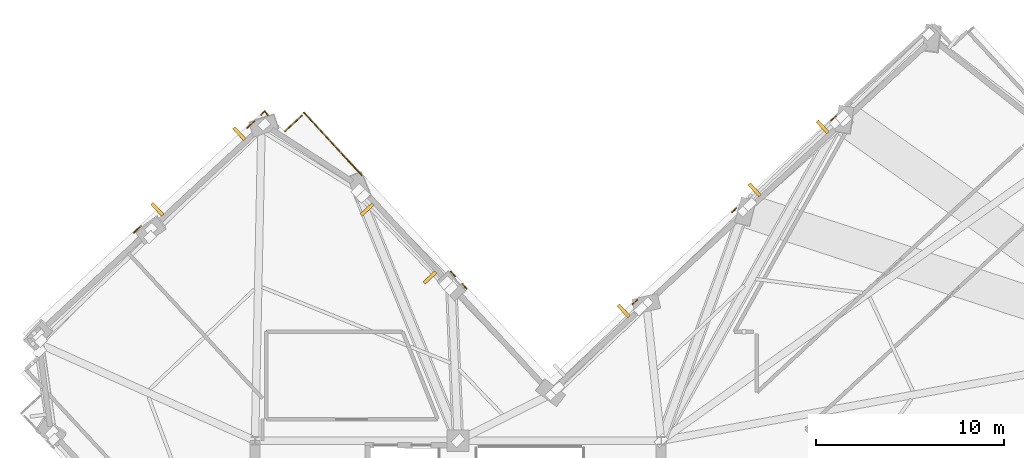
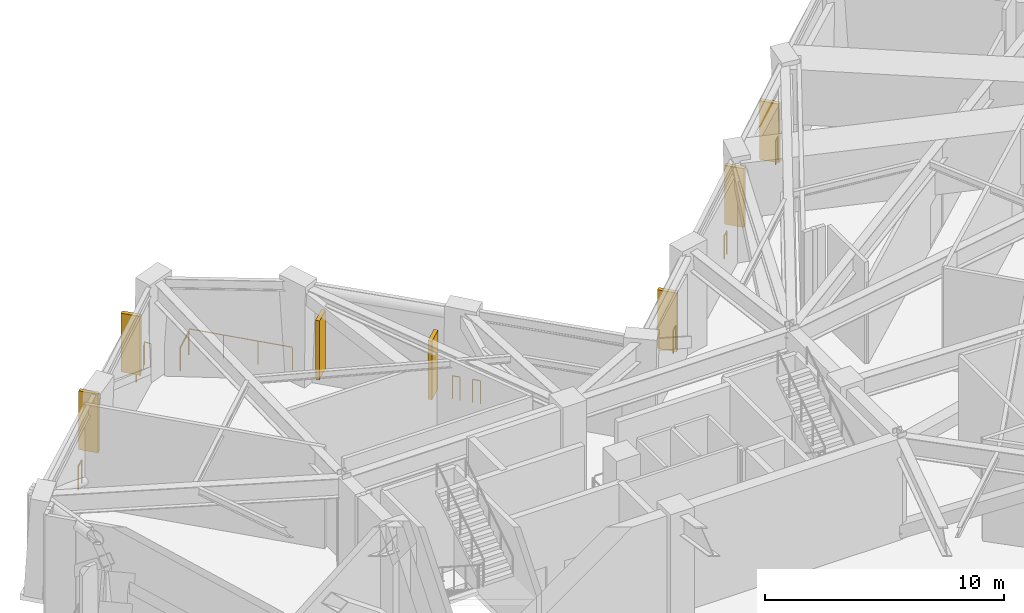
# One storey, part 14 of 15: 10 railings, 7 shading devices.
"""IFC4 building model written with IfcOpenShell, lengths in metres."""

import ifcopenshell
import ifcopenshell.guid

model = None  # the IFC model being written
_history = None  # IfcOwnerHistory: only IFC2X3 demands one
_inside = {}  # id of a spatial element -> (the spatial element, [elements in it])
_under = {}  # id of a project, library or spatial element -> (it, [spatial elements below it])
_declared = {}  # id of a project -> (the project, [libraries it declares])
_typed = {}  # id of a type object -> (the type object, [elements of that type])
_made_of = {}  # id of a material, layer set ... -> (it, [elements and type objects made of it])


def new_model(schema):
    """Start an empty IFC model of exactly this schema.

    Asked for "IFC4X3", IfcOpenShell would pick the latest addendum, in which some entities
    have other attributes; the version numbers below select the first issue.
    IFC2X3 requires an IfcOwnerHistory on every rooted entity: one is made here for all.
    """
    global model, _history
    if schema == "IFC4X3":
        model = ifcopenshell.file(schema_version=(4, 3, 0, 0))
    else:
        model = ifcopenshell.file(schema=schema)
    _inside.clear()
    _under.clear()
    _declared.clear()
    _typed.clear()
    _made_of.clear()
    _history = None
    if model.schema == "IFC2X3":
        org = make("IfcOrganization", Name="unknown")
        user = make(
            "IfcPersonAndOrganization",
            ThePerson=make("IfcPerson", FamilyName="unknown"),
            TheOrganization=org,
        )
        app = make(
            "IfcApplication",
            ApplicationDeveloper=org,
            Version="unknown",
            ApplicationFullName="unknown",
            ApplicationIdentifier="unknown",
        )
        _history = make(
            "IfcOwnerHistory",
            OwningUser=user,
            OwningApplication=app,
            ChangeAction="ADDED",
            CreationDate=0,
        )
    return model


def make(cls, **values):
    """One entity of the class cls with the attributes given. An attribute that is None is left unset."""
    return model.create_entity(
        cls, **{name: value for name, value in values.items() if value is not None}
    )


def rooted(cls, **values):
    """An entity with a GlobalId (a new one), such as an element, a storey or a relation."""
    return make(cls, GlobalId=ifcopenshell.guid.new(), OwnerHistory=_history, **values)


def si_unit(unit_type, name, prefix=None):
    """IfcSIUnit, for example si_unit("LENGTHUNIT", "METRE", prefix="MILLI")."""
    return make("IfcSIUnit", UnitType=unit_type, Prefix=prefix, Name=name)


def assignment(units):
    """IfcUnitAssignment: the units of a project."""
    return None if units is None else make("IfcUnitAssignment", Units=units)


def point(xyz):
    """IfcCartesianPoint."""
    return None if xyz is None else make("IfcCartesianPoint", Coordinates=xyz)


def direction(xyz):
    """IfcDirection."""
    return None if xyz is None else make("IfcDirection", DirectionRatios=xyz)


def frame(location, z_axis=None, x_axis=None):
    """IfcAxis2Placement3D, a coordinate frame: its origin and axes. An axis left out is left unset."""
    return make(
        "IfcAxis2Placement3D",
        Location=point(location),
        Axis=direction(z_axis),
        RefDirection=direction(x_axis),
    )


def frame_2d(location, x_axis=None):
    """IfcAxis2Placement2D, a coordinate frame in the plane: its origin and x axis."""
    return make(
        "IfcAxis2Placement2D", Location=point(location), RefDirection=direction(x_axis)
    )


def origin():
    """The frame at (0, 0, 0) with its axes left unset."""
    return frame((0.0, 0.0, 0.0))


def origin_2d():
    """The frame at (0, 0) in the plane with its x axis left unset."""
    return frame_2d((0.0, 0.0))


def place(relative_to, where):
    """IfcLocalPlacement: puts the frame where relative to a parent placement (None: the world)."""
    return make(
        "IfcLocalPlacement", PlacementRelTo=relative_to, RelativePlacement=where
    )


def context(
    kind, dimensions, precision=None, world=None, true_north=None, identifier=None
):
    """IfcGeometricRepresentationContext, for example the 3D "Model" context."""
    return make(
        "IfcGeometricRepresentationContext",
        ContextIdentifier=identifier,
        ContextType=kind,
        CoordinateSpaceDimension=dimensions,
        Precision=precision,
        WorldCoordinateSystem=world,
        TrueNorth=true_north,
    )


def subcontext(parent, identifier, kind, view, scale=None):
    """IfcGeometricRepresentationSubContext, for example "Body" below "Model"."""
    return make(
        "IfcGeometricRepresentationSubContext",
        ContextIdentifier=identifier,
        ContextType=kind,
        ParentContext=parent,
        TargetScale=scale,
        TargetView=view,
    )


def project(units=None, contexts=None):
    """IfcProject with its units and contexts."""
    return rooted(
        "IfcProject",
        Name="project",
        RepresentationContexts=contexts,
        UnitsInContext=assignment(units),
    )


def spatial(cls, under=None, at=None, **own):
    """A site, building, storey or space (cls), placed at a placement, below another one or the project."""
    s = rooted(cls, ObjectPlacement=at, **own)
    if under is not None:
        _under.setdefault(under.id(), (under, []))[1].append(s)
    return s


def profile(cls, at=None, kind="AREA", **sizes):
    """A parametric profile (cls). Its sizes go by their IFC names, for example OverallWidth=200.0."""
    return make(cls, ProfileType=kind, Position=at, **sizes)


def rectangle(**sizes):
    """IfcRectangleProfileDef."""
    return profile("IfcRectangleProfileDef", **sizes)


def circle(**sizes):
    """IfcCircleProfileDef."""
    return profile("IfcCircleProfileDef", **sizes)


def extrude(swept, where, along, depth):
    """IfcExtrudedAreaSolid: the profile swept, set in the frame where, extruded along a direction by depth."""
    return make(
        "IfcExtrudedAreaSolid",
        SweptArea=swept,
        Position=where,
        ExtrudedDirection=direction(along),
        Depth=depth,
    )


def shape(context_of_items, identifier, shape_type, items):
    """IfcShapeRepresentation: the items that make up one representation, for example the "Body"."""
    return make(
        "IfcShapeRepresentation",
        ContextOfItems=context_of_items,
        RepresentationIdentifier=identifier,
        RepresentationType=shape_type,
        Items=items,
    )


def material(Name=None, Category=None):
    """IfcMaterial."""
    return make("IfcMaterial", Name=Name, Category=Category)


def layer(
    of_material, thickness, ventilated=None, Name=None, Category=None, Priority=None
):
    """IfcMaterialLayer: one layer of a wall or slab, of a material (None: an air gap)."""
    return make(
        "IfcMaterialLayer",
        Material=of_material,
        LayerThickness=thickness,
        IsVentilated=ventilated,
        Name=Name,
        Category=Category,
        Priority=Priority,
    )


def layer_set(layers, Name=None):
    """IfcMaterialLayerSet."""
    return make("IfcMaterialLayerSet", MaterialLayers=layers, LayerSetName=Name)


def made_of(thing, what):
    """Note that an element or type object is made of a material, layer set ...; save() writes the relation."""
    if what is not None:
        _made_of.setdefault(what.id(), (what, []))[1].append(thing)
    return thing


def type_object(cls, material=None, **own):
    """A type object (cls), such as IfcWallType, which elements share."""
    return made_of(rooted(cls, **own), material)


def element(
    cls,
    number,
    at=None,
    inside=None,
    cuts=None,
    type_object=None,
    material=None,
    context=None,
    identifier="Body",
    shape_type=None,
    held_by="IfcProductDefinitionShape",
    body=None,
    shapes=None,
    **own,
):
    """One element of the class cls, such as IfcWall. Its Tag is "e" and its number.

    at: its placement. inside: the storey or other place that contains it. cuts: it is an
    opening in that element (IfcRelVoidsElement). A single representation is given by context,
    identifier, shape_type and body (its items); several are given by shapes. held_by: the class
    of the entity that holds the representations. save() writes the other relations.
    """
    e = rooted(cls, Tag="e%d" % number, ObjectPlacement=at, **own)
    if body is not None:
        shapes = [shape(context, identifier, shape_type, body)]
    if shapes is not None:
        e.Representation = make(held_by, Representations=shapes)
    if inside is not None:
        _inside.setdefault(inside.id(), (inside, []))[1].append(e)
    if cuts is not None:
        rooted(
            "IfcRelVoidsElement", RelatingBuildingElement=cuts, RelatedOpeningElement=e
        )
    if type_object is not None:
        _typed.setdefault(type_object.id(), (type_object, []))[1].append(e)
    return made_of(e, material)


def aggregate(whole, parts):
    """IfcRelAggregates: a whole, such as a stair, and the parts it consists of."""
    return rooted("IfcRelAggregates", RelatingObject=whole, RelatedObjects=parts)


def save(model, path):
    """Write the relations noted so far, then the file.

    IfcRelAggregates (storeys below a building ...), IfcRelContainedInSpatialStructure (elements
    in a storey), IfcRelDefinesByType, IfcRelAssociatesMaterial and IfcRelDeclares: one each for
    every whole, place, type object, material and project.
    """
    for whole, parts in _under.values():
        aggregate(whole, parts)
    for where, things in _inside.values():
        rooted(
            "IfcRelContainedInSpatialStructure",
            RelatedElements=things,
            RelatingStructure=where,
        )
    for kind, things in _typed.values():
        rooted("IfcRelDefinesByType", RelatedObjects=things, RelatingType=kind)
    for what, things in _made_of.values():
        rooted("IfcRelAssociatesMaterial", RelatedObjects=things, RelatingMaterial=what)
    for by, libraries in _declared.values():
        rooted("IfcRelDeclares", RelatingContext=by, RelatedDefinitions=libraries)
    model.write(path)


model = new_model("IFC4")

# Units and contexts
model_context = context("Model", 3, precision=1e-05, world=origin(), true_north=direction((0.0, 1.0)))
body_context = subcontext(model_context, "Body", "Model", "MODEL_VIEW")
ifc_project = project(units=[si_unit("LENGTHUNIT", "METRE"), si_unit("AREAUNIT", "SQUARE_METRE"), si_unit("VOLUMEUNIT", "CUBIC_METRE"), si_unit("PLANEANGLEUNIT", "RADIAN"), si_unit("MASSUNIT", "GRAM", prefix="KILO")], contexts=[model_context])

# Site, building, storey
site_placement = place(None, origin())
site = spatial("IfcSite", under=ifc_project, at=site_placement, CompositionType="ELEMENT")
building_placement = place(site_placement, origin())
building = spatial("IfcBuilding", under=site, at=building_placement, Name="Gaonmaruhae Medical Tower", CompositionType="ELEMENT")
storey_placement = place(building_placement, frame((0.0, 0.0, 205.800048828125)))
storey = spatial("IfcBuildingStorey", under=building, at=storey_placement, Name="L49", CompositionType="ELEMENT", Elevation=205.800048828125)

# Railings
ifc_material_1 = material(Name="Stainless steel 316L and laminated safety glass", Category="steel")
ifc_layer = layer(ifc_material_1, 0.080078125)
ifc_layer_set = layer_set([ifc_layer], Name="Stainless steel 316L and laminated safety glass")
railing_type = type_object("IfcRailingType", Name="GD-120 Outdoor Terrace Safety Glass & Steel Balustrade", PredefinedType="BALUSTRADE", material=ifc_layer_set)
railing_1_placement = place(storey_placement, frame((44.90087890625, 34.0615234375, 0.0)))
element("IfcRailing", 1, at=railing_1_placement, inside=storey, type_object=railing_type, Name="L49 Perimeter Slab Edge Safety Balustrade 08", PredefinedType="BALUSTRADE", context=body_context, shape_type="SweptSolid", body=[
    extrude(circle(Radius=0.02392578125, at=origin_2d()), frame((0.0, 0.0, 1.17578125), z_axis=(-0.734555637154, -0.678548462474, 0.0), x_axis=(0.678548462474, -0.734555637154, 0.0)), (0.0, 0.0, 1.0), 0.340087890625),
    extrude(circle(Radius=0.02099609375, at=origin_2d()), origin(), (0.0, 0.0, 1.0), 1.15185546875),
    extrude(circle(Radius=0.02099609375, at=origin_2d()), frame((-0.249755859375, -0.230712890625, 0.0)), (0.0, 0.0, 1.0), 1.15185546875),
])
for number, where, name in (
    (2, (39.617431640625, 29.177734375, 0.0), "L49 Perimeter Slab Edge Safety Balustrade 09"),
    (3, (34.334228515625, 24.2939453125, 0.0), "L49 Perimeter Slab Edge Safety Balustrade 10"),
):
    element("IfcRailing", number, at=place(storey_placement, frame(where)), inside=storey, type_object=railing_type, Name=name, PredefinedType="BALUSTRADE", context=body_context, shape_type="SweptSolid", body=[
        extrude(circle(Radius=0.02392578125, at=origin_2d()), frame((0.0, 0.0, 1.17578125), z_axis=(-0.734224769391, -0.678906464848, 0.0), x_axis=(0.678906464848, -0.734224769391, 0.0)), (0.0, 0.0, 1.0), 0.33984375),
        extrude(circle(Radius=0.02099609375, at=origin_2d()), origin(), (0.0, 0.0, 1.0), 1.15185546875),
        extrude(circle(Radius=0.02099609375, at=origin_2d()), frame((-0.24951171875, -0.230712890625, 0.0)), (0.0, 0.0, 1.0), 1.15185546875),
    ])
railing_2_placement = place(storey_placement, frame((25.251708984375, 24.888916015625, 0.0)))
element("IfcRailing", 4, at=railing_2_placement, inside=storey, type_object=railing_type, Name="L49 Perimeter Slab Edge Safety Balustrade 11", PredefinedType="BALUSTRADE", context=body_context, shape_type="SweptSolid", body=[
    extrude(circle(Radius=0.02392578125, at=origin_2d()), frame((0.0, 0.0, 1.17578125), z_axis=(-0.678429810204, 0.734665224865, 0.0), x_axis=(-0.734665224865, -0.678429810204, 0.0)), (0.0, 0.0, 1.0), 0.338623046875),
    extrude(circle(Radius=0.02099609375, at=origin_2d()), origin(), (0.0, 0.0, 1.0), 1.15185546875),
    extrude(circle(Radius=0.02099609375, at=origin_2d()), frame((-0.229736328125, 0.248779296875, 0.0)), (0.0, 0.0, 1.0), 1.15185546875),
])
railing_3_placement = place(storey_placement, frame((24.645263671875, 25.544921875, 0.0)))
element("IfcRailing", 5, at=railing_3_placement, inside=storey, type_object=railing_type, Name="L49 Perimeter Slab Edge Safety Balustrade 12", PredefinedType="BALUSTRADE", context=body_context, shape_type="SweptSolid", body=[
    extrude(circle(Radius=0.02392578125, at=origin_2d()), frame((0.0, 0.0, 1.17578125), z_axis=(-0.678818654434, 0.734305954213, 0.0), x_axis=(-0.734305954213, -0.678818654434, 0.0)), (0.0, 0.0, 1.0), 0.3388671875),
    extrude(circle(Radius=0.02099609375, at=origin_2d()), origin(), (0.0, 0.0, 1.0), 1.15185546875),
    extrude(circle(Radius=0.02099609375, at=origin_2d()), frame((-0.22998046875, 0.248779296875, 0.0)), (0.0, 0.0, 1.0), 1.15185546875),
])
railing_4_placement = place(storey_placement, frame((19.671875, 30.92529296875, 0.0)))
element("IfcRailing", 6, at=railing_4_placement, inside=storey, type_object=railing_type, Name="L49 Perimeter Slab Edge Safety Balustrade 13", PredefinedType="BALUSTRADE", context=body_context, shape_type="SweptSolid", body=[
    extrude(circle(Radius=0.02392578125, at=origin_2d()), frame((0.0, 0.0, 1.17578125), z_axis=(-0.678819653079, 0.734305031029, 0.0), x_axis=(-0.734305031029, -0.678819653079, 0.0)), (0.0, 0.0, 1.0), 4.527587890625),
    extrude(circle(Radius=0.02099609375, at=origin_2d()), origin(), (0.0, 0.0, 1.0), 1.15185546875),
    extrude(circle(Radius=0.02099609375, at=origin_2d()), frame((-1.0244140625, 1.108154296875, 0.0)), (0.0, 0.0, 1.0), 1.15185546875),
    extrude(circle(Radius=0.02099609375, at=origin_2d()), frame((-2.049072265625, 2.216552734375, 0.0)), (0.0, 0.0, 1.0), 1.15185546875),
    extrude(circle(Radius=0.02099609375, at=origin_2d()), frame((-3.073486328125, 3.32470703125, 0.0)), (0.0, 0.0, 1.0), 1.15185546875),
])
railing_5_placement = place(storey_placement, frame((16.497802734375, 34.0888671875, 0.0)))
element("IfcRailing", 7, at=railing_5_placement, inside=storey, type_object=railing_type, Name="L49 Perimeter Slab Edge Safety Balustrade 14", PredefinedType="BALUSTRADE", context=body_context, shape_type="SweptSolid", body=[
    extrude(circle(Radius=0.02392578125, at=origin_2d()), frame((0.0, 0.0, 1.17578125), z_axis=(-0.734322600122, -0.678800647429, 0.0), x_axis=(0.678800647429, -0.734322600122, 0.0)), (0.0, 0.0, 1.0), 1.226806640625),
    extrude(circle(Radius=0.02099609375, at=origin_2d()), origin(), (0.0, 0.0, 1.0), 1.15185546875),
    extrude(circle(Radius=0.02099609375, at=origin_2d()), frame((-0.90087890625, -0.832763671875, 0.0)), (0.0, 0.0, 1.0), 1.15185546875),
])
for number, where, name in (
    (8, (13.96728515625, 33.792236328125, 0.0), "L49 Perimeter Slab Edge Safety Balustrade 15"),
    (9, (7.935302734375, 28.21630859375, 0.0), "L49 Perimeter Slab Edge Safety Balustrade 16"),
):
    element("IfcRailing", number, at=place(storey_placement, frame(where)), inside=storey, type_object=railing_type, Name=name, PredefinedType="BALUSTRADE", context=body_context, shape_type="SweptSolid", body=[
        extrude(circle(Radius=0.02392578125, at=origin_2d()), frame((0.0, 0.0, 1.17578125), z_axis=(-0.734405223956, -0.67871125453, 0.0), x_axis=(0.67871125453, -0.734405223956, 0.0)), (0.0, 0.0, 1.0), 0.517333984375),
        extrude(circle(Radius=0.02099609375, at=origin_2d()), origin(), (0.0, 0.0, 1.0), 1.15185546875),
        extrude(circle(Radius=0.02099609375, at=origin_2d()), frame((-0.3798828125, -0.35107421875, 0.0)), (0.0, 0.0, 1.0), 1.15185546875),
    ])
railing_6_placement = place(storey_placement, frame((14.682373046875, 34.11279296875, 0.0)))
element("IfcRailing", 10, at=railing_6_placement, inside=storey, type_object=railing_type, Name="L49 Perimeter Corner Safety Balustrade 27", PredefinedType="BALUSTRADE", context=body_context, shape_type="SweptSolid", body=[
    extrude(circle(Radius=0.02392578125, at=origin_2d()), frame((0.0, 0.0, 1.17578125), z_axis=(-0.583968785118, 0.811776113228, 0.0), x_axis=(-0.811776113228, -0.583968785118, 0.0)), (0.0, 0.0, 1.0), 0.287109375),
    extrude(circle(Radius=0.02392578125, at=origin_2d()), frame((-0.167724609375, 0.233154296875, 1.17578125), z_axis=(-0.64601844732, -0.763321796965, 0.0), x_axis=(0.763321796965, -0.64601844732, 0.0)), (0.0, 0.0, 1.0), 0.287109375),
    extrude(circle(Radius=0.02099609375, at=origin_2d()), origin(), (0.0, 0.0, 1.0), 1.15185546875),
    extrude(circle(Radius=0.02099609375, at=origin_2d()), frame((-0.167724609375, 0.233154296875, 0.0)), (0.0, 0.0, 1.0), 1.15185546875),
    extrude(circle(Radius=0.02099609375, at=origin_2d()), frame((-0.353271484375, 0.013916015625, 0.0)), (0.0, 0.0, 1.0), 1.15185546875),
])

# Shading devices
ifc_material_2 = material(Name="Pigmented coral precast concrete C45/55", Category="concrete")
shading_device_type = type_object("IfcShadingDeviceType", Name="SD-FIN1 Tower Vertical Coral Precast Shading Fin", PredefinedType="USERDEFINED", material=ifc_material_2)
for number, where, z_axis, x_axis, name in (
    (11, (40.573974609375, 30.150390625, 0.58251953125), (0.0, 0.0, 1.0), (0.734322509436, 0.678800745533, 0.0), "L49 Vertical Coral Precast Shading Fin EN01"),
    (12, (44.19140625, 33.494384765625, 0.58251953125), (0.0, 0.0, 1.0), (0.734322509436, 0.678800745533, 0.0), "L49 Vertical Coral Precast Shading Fin EN01B"),
    (13, (33.606689453125, 23.7099609375, 0.58251953125), (0.0, 0.0, 1.0), (0.734322509436, 0.678800745533, 0.0), "L49 Vertical Coral Precast Shading Fin EN03B"),
    (14, (23.306640625, 25.483154296875, 0.822509765625), (0.0, 0.0, 1.0), (-0.678813561775, 0.734310662016, 0.0), "L49 Vertical Coral Precast Shading Fin NE01"),
    (15, (19.965087890625, 29.097900390625, 0.822509765625), (0.0, 0.0, 1.0), (-0.678813561775, 0.734310662016, 0.0), "L49 Vertical Coral Precast Shading Fin NE01B"),
    (16, (8.8046875, 29.108642578125, 0.83251953125), (0.0, 0.0, 1.0), (0.734322509436, 0.678800745533, 0.0), "L49 Vertical Coral Precast Shading Fin N01"),
    (17, (13.159912109375, 33.134521484375, 0.83251953125), (0.0, 0.0, 1.0), (0.734322509436, 0.678800745533, 0.0), "L49 Vertical Coral Precast Shading Fin N01B"),
):
    element("IfcShadingDevice", number, at=place(storey_placement, frame(where, z_axis=z_axis, x_axis=x_axis)), inside=storey, type_object=shading_device_type, Name=name, ObjectType="FIN", PredefinedType="USERDEFINED", context=body_context, shape_type="SweptSolid", body=[
        extrude(rectangle(XDim=0.179931640625, YDim=0.85009765625, at=origin_2d()), origin(), (0.0, 0.0, 1.0), 3.0),
    ])

save(model, "model.ifc")
